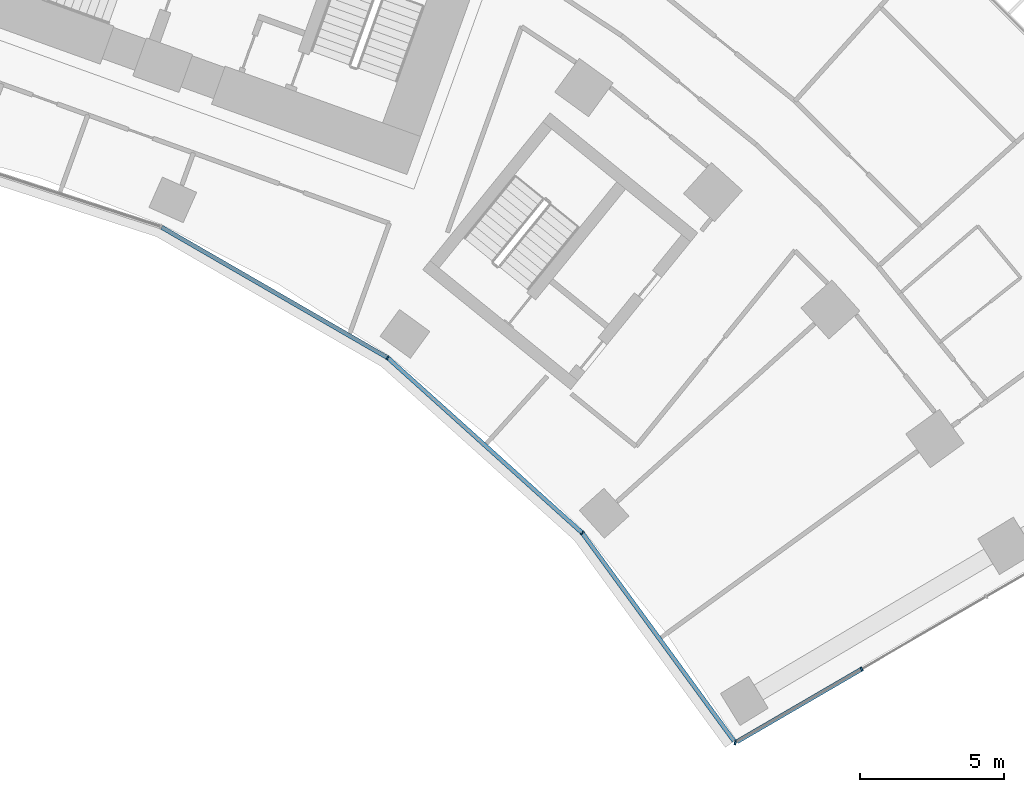
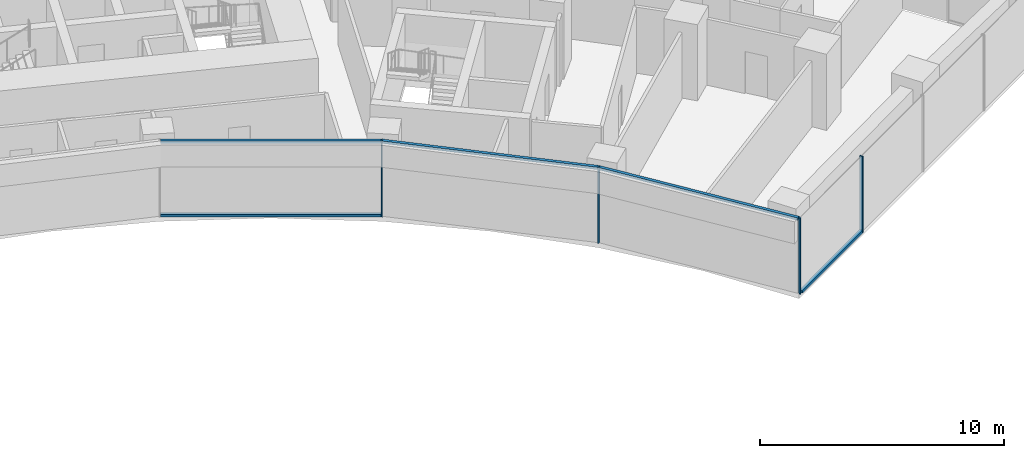
# One storey, part 9 of 22: 9 members, 2 elements without a shape of their own.
"""IFC4 building model written with IfcOpenShell, lengths in metres."""

from ifc_helpers import new_model, si_unit, direction, frame, origin, origin_2d, place, context, subcontext, project, spatial, rectangle, extrude, material, layer, layer_set, material_profile, profile_set, type_object, element, aggregate, save


model = new_model("IFC4")

# Units and contexts
model_context = context("Model", 3, precision=1e-05, world=origin(), true_north=direction((0.0, 1.0)))
body_context = subcontext(model_context, "Body", "Model", "MODEL_VIEW")
ifc_project = project(units=[si_unit("LENGTHUNIT", "METRE"), si_unit("AREAUNIT", "SQUARE_METRE"), si_unit("VOLUMEUNIT", "CUBIC_METRE"), si_unit("PLANEANGLEUNIT", "RADIAN"), si_unit("MASSUNIT", "GRAM", prefix="KILO")], contexts=[model_context])

# Site, building, storey
site_placement = place(None, origin())
site = spatial("IfcSite", under=ifc_project, at=site_placement, CompositionType="ELEMENT")
building_placement = place(site_placement, origin())
building = spatial("IfcBuilding", under=site, at=building_placement, Name="Stone Belt Terrace Tower", CompositionType="ELEMENT")
storey_placement = place(building_placement, frame((0.0, 0.0, 132.60009765625)))
storey = spatial("IfcBuildingStorey", under=building, at=storey_placement, Name="L32", CompositionType="ELEMENT", Elevation=132.60009765625)

# Curtain wall, members
ifc_material = material(Name="Aluminium 6063-T6 anodised frame", Category="aluminium")
ifc_layer_1 = layer(ifc_material, 0.14990234375)
ifc_layer_set_1 = layer_set([ifc_layer_1], Name="CW-B unitised concave-face curtain wall")
curtain_wall_type_1 = type_object("IfcCurtainWallType", Name="CW-B unitised concave-face curtain wall", PredefinedType="NOTDEFINED", material=ifc_layer_set_1)
curtain_wall_1_placement = place(storey_placement, origin())
curtain_wall_1 = element("IfcCurtainWall", 1, at=curtain_wall_1_placement, inside=storey, type_object=curtain_wall_type_1, Name="CW-B concave face L32", PredefinedType="NOTDEFINED")
ifc_material_profile_1 = material_profile(ifc_material, rectangle(XDim=0.14990234375, YDim=0.050048828125, at=origin_2d()), Name="Aluminium 6063-T6 50x150")
ifc_profile_set_1 = profile_set([ifc_material_profile_1], Name="Aluminium 6063-T6 anodised frame")
member_type_1 = type_object("IfcMemberType", Name="CW-B mullion 50 x 150", PredefinedType="MULLION", material=ifc_profile_set_1)
member_1_placement = place(storey_placement, frame((25.5244140625, 35.13134765625, 0.0), z_axis=(0.0, 0.0, 1.0), x_axis=(0.587785252292, 0.809016994375, 0.0)))
member_1 = element("IfcMember", 2, at=member_1_placement, type_object=member_type_1, Name="CW-B mullion 8", PredefinedType="MULLION", context=body_context, shape_type="SweptSolid", body=[
    extrude(rectangle(XDim=0.14990234375, YDim=0.050048828125, at=origin_2d()), origin(), (0.0, 0.0, 1.0), 3.7998046875),
])
member_2_placement = place(storey_placement, frame((32.270751953125, 29.056640625, 0.0), z_axis=(0.0, 0.0, 1.0), x_axis=(0.742548806143, 0.669791960608, 0.0)))
member_2 = element("IfcMember", 3, at=member_2_placement, type_object=member_type_1, Name="CW-B mullion 9", PredefinedType="MULLION", context=body_context, shape_type="SweptSolid", body=[
    extrude(rectangle(XDim=0.14990234375, YDim=0.050048828125, at=origin_2d()), origin(), (0.0, 0.0, 1.0), 3.7998046875),
])
ifc_material_profile_2 = material_profile(ifc_material, rectangle(XDim=0.14990234375, YDim=0.1201171875, at=origin_2d()), Name="Aluminium 6063-T6 150x120")
ifc_profile_set_2 = profile_set([ifc_material_profile_2], Name="Aluminium 6063-T6 anodised frame")
member_type_2 = type_object("IfcMemberType", Name="CW-B transom 120 x 150", PredefinedType="USERDEFINED", material=ifc_profile_set_2)
member_3_placement = place(storey_placement, frame((17.690673828125, 39.654052734375, 0.059814453125), z_axis=(0.866019133895, -0.500010859609, 0.0), x_axis=(0.500010859609, 0.866019133895, 0.0)))
member_3 = element("IfcMember", 4, at=member_3_placement, type_object=member_type_2, Name="CW-B transom 7.1", ObjectType="TRANSOM", PredefinedType="USERDEFINED", context=body_context, shape_type="SweptSolid", body=[
    extrude(rectangle(XDim=0.14990234375, YDim=0.1201171875, at=origin_2d()), origin(), (0.0, 0.0, 1.0), 9.012939453125),
])
member_4_placement = place(storey_placement, frame((17.690673828125, 39.654052734375, 3.739990234375), z_axis=(0.866019133895, -0.500010859609, 0.0), x_axis=(0.500010859609, 0.866019133895, 0.0)))
member_4 = element("IfcMember", 5, at=member_4_placement, type_object=member_type_2, Name="CW-B transom 7.2", ObjectType="TRANSOM", PredefinedType="USERDEFINED", context=body_context, shape_type="SweptSolid", body=[
    extrude(rectangle(XDim=0.14990234375, YDim=0.1201171875, at=origin_2d()), origin(), (0.0, 0.0, 1.0), 9.012939453125),
])
member_5_placement = place(storey_placement, frame((25.548583984375, 35.109375, 3.739990234375), z_axis=(0.74315270459, -0.669121855614, 0.0), x_axis=(0.669121855614, 0.74315270459, 0.0)))
member_5 = element("IfcMember", 6, at=member_5_placement, type_object=member_type_2, Name="CW-B transom 8.1", ObjectType="TRANSOM", PredefinedType="USERDEFINED", context=body_context, shape_type="SweptSolid", body=[
    extrude(rectangle(XDim=0.14990234375, YDim=0.1201171875, at=origin_2d()), origin(), (0.0, 0.0, 1.0), 9.012939453125),
])
member_6_placement = place(storey_placement, frame((32.2900390625, 29.0302734375, 3.739990234375), z_axis=(0.589234850818, -0.807961812576, 0.0), x_axis=(0.807961812576, 0.589234850818, 0.0)))
member_6 = element("IfcMember", 7, at=member_6_placement, type_object=member_type_2, Name="CW-B transom 9.1", ObjectType="TRANSOM", PredefinedType="USERDEFINED", context=body_context, shape_type="SweptSolid", body=[
    extrude(rectangle(XDim=0.14990234375, YDim=0.1201171875, at=origin_2d()), origin(), (0.0, 0.0, 1.0), 8.898193359375),
])
aggregate(curtain_wall_1, [member_1, member_2, member_3, member_4, member_5, member_6])

ifc_layer_2 = layer(ifc_material, 0.14990234375)
ifc_layer_set_2 = layer_set([ifc_layer_2], Name="CW-C stick curtain wall, horn ends and notches")
curtain_wall_type_2 = type_object("IfcCurtainWallType", Name="CW-C stick curtain wall, horn ends and notches", PredefinedType="NOTDEFINED", material=ifc_layer_set_2)
curtain_wall_2_placement = place(storey_placement, origin())
curtain_wall_2 = element("IfcCurtainWall", 8, at=curtain_wall_2_placement, inside=storey, type_object=curtain_wall_type_2, Name="CW-C end face L32", PredefinedType="NOTDEFINED")
ifc_material_profile_3 = material_profile(ifc_material, rectangle(XDim=0.14990234375, YDim=0.06005859375, at=origin_2d()), Name="Aluminium 6063-T6 60x150")
ifc_profile_set_3 = profile_set([ifc_material_profile_3], Name="Aluminium 6063-T6 anodised frame")
member_type_3 = type_object("IfcMemberType", Name="CW-C mullion 60 x 150", PredefinedType="MULLION", material=ifc_profile_set_3)
member_7_placement = place(storey_placement, frame((37.57373046875, 21.78515625, 0.0), z_axis=(0.0, 0.0, 1.0), x_axis=(0.205298427037, 0.978699420586, 0.0)))
member_7 = element("IfcMember", 9, at=member_7_placement, type_object=member_type_3, Name="CW-C mullion 1", PredefinedType="MULLION", context=body_context, shape_type="SweptSolid", body=[
    extrude(rectangle(XDim=0.14990234375, YDim=0.06005859375, at=origin_2d()), origin(), (0.0, 0.0, 1.0), 3.7998046875),
])
member_8_placement = place(storey_placement, frame((41.953369140625, 24.334716796875, 0.0), z_axis=(0.0, 0.0, 1.0), x_axis=(-0.503080901861, 0.864239322284, 0.0)))
member_8 = element("IfcMember", 10, at=member_8_placement, type_object=member_type_3, Name="CW-C mullion 2", PredefinedType="MULLION", context=body_context, shape_type="SweptSolid", body=[
    extrude(rectangle(XDim=0.14990234375, YDim=0.06005859375, at=origin_2d()), origin(), (0.0, 0.0, 1.0), 3.7998046875),
])
ifc_material_profile_4 = material_profile(ifc_material, rectangle(XDim=0.14990234375, YDim=0.1201171875, at=origin_2d()), Name="Aluminium 6063-T6 150x120")
ifc_profile_set_4 = profile_set([ifc_material_profile_4], Name="Aluminium 6063-T6 anodised frame")
member_type_4 = type_object("IfcMemberType", Name="CW-C transom 120 x 150", PredefinedType="USERDEFINED", material=ifc_profile_set_4)
member_9_placement = place(storey_placement, frame((37.63623046875, 21.821533203125, 0.059814453125), z_axis=(0.864233293303, 0.503091258865, 0.0), x_axis=(-0.503091258865, 0.864233293303, 0.0)))
member_9 = element("IfcMember", 11, at=member_9_placement, type_object=member_type_4, Name="CW-C transom 1.1", ObjectType="TRANSOM", PredefinedType="USERDEFINED", context=body_context, shape_type="SweptSolid", body=[
    extrude(rectangle(XDim=0.14990234375, YDim=0.1201171875, at=origin_2d()), origin(), (0.0, 0.0, 1.0), 4.96533203125),
])
aggregate(curtain_wall_2, [member_7, member_8, member_9])

save(model, "model.ifc")
